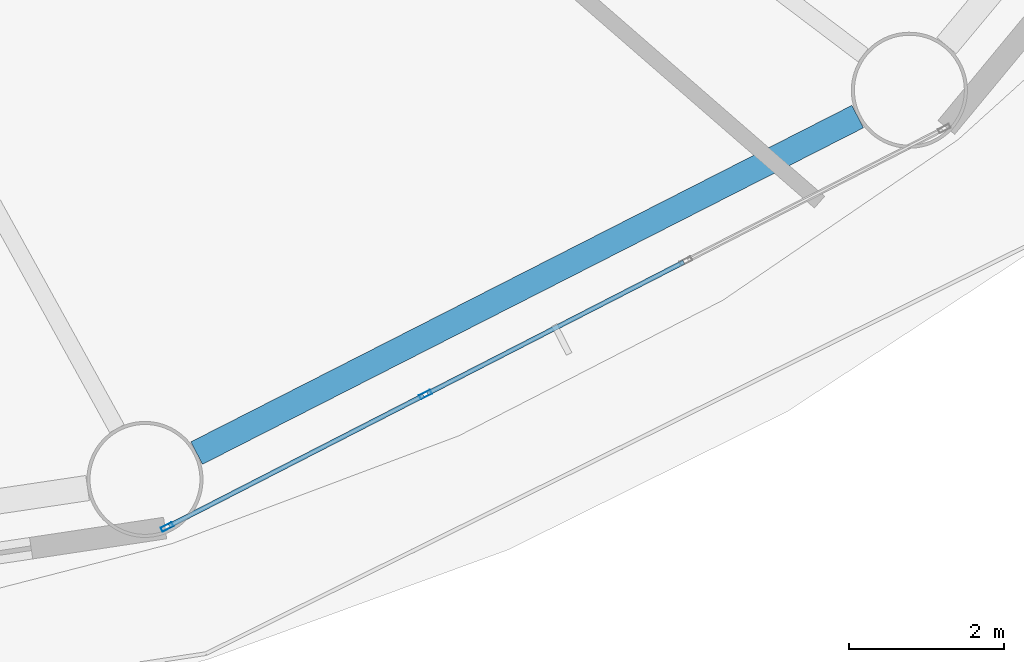
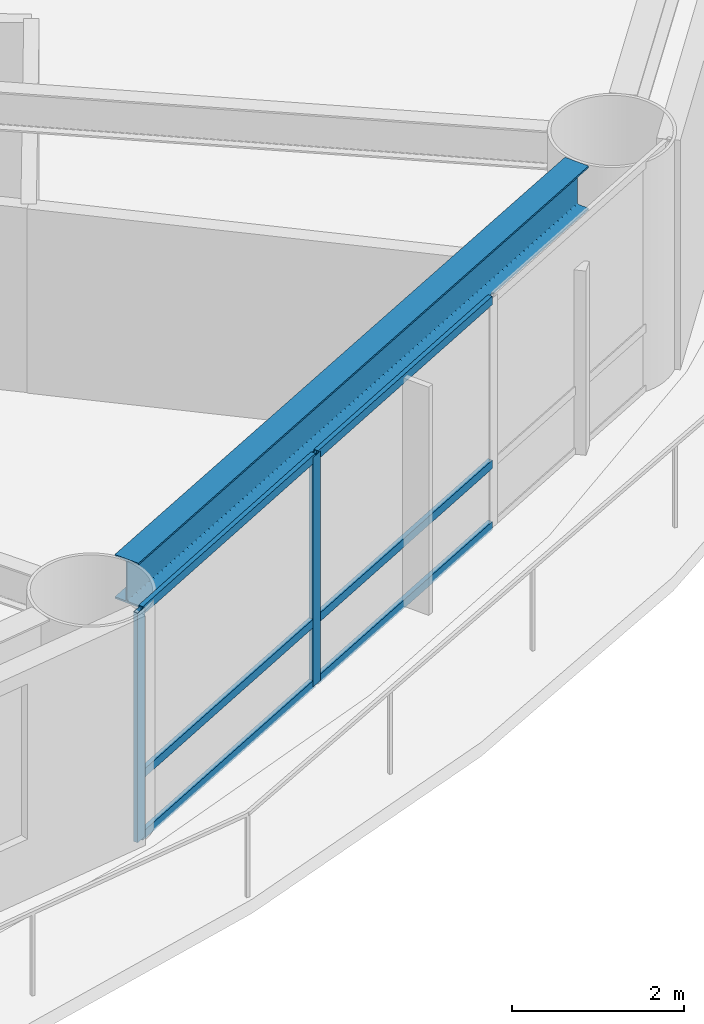
# One storey, part 5 of 27: 8 members, 1 beam, 1 element without a shape of its own.
"""IFC4 building model written with IfcOpenShell, lengths in metres."""

from ifc_helpers import new_model, si_unit, direction, frame, origin, origin_2d, place, context, subcontext, project, spatial, hollow_rectangle, i_section, extrude, material, layer, layer_set, material_profile, profile_set, type_object, element, aggregate, save


model = new_model("IFC4")

# Units and contexts
model_context = context("Model", 3, precision=1e-05, world=origin(), true_north=direction((0.0, 1.0)))
body_context = subcontext(model_context, "Body", "Model", "MODEL_VIEW")
ifc_project = project(units=[si_unit("LENGTHUNIT", "METRE"), si_unit("AREAUNIT", "SQUARE_METRE"), si_unit("VOLUMEUNIT", "CUBIC_METRE"), si_unit("PLANEANGLEUNIT", "RADIAN"), si_unit("MASSUNIT", "GRAM", prefix="KILO")], contexts=[model_context])

# Site, building, storey
site_placement = place(None, origin())
site = spatial("IfcSite", under=ifc_project, at=site_placement, CompositionType="ELEMENT")
building_placement = place(site_placement, origin())
building = spatial("IfcBuilding", under=site, at=building_placement, Name="Sarneth Arch Tower", CompositionType="ELEMENT")
storey_placement = place(building_placement, frame((0.0, 0.0, 75.0)))
storey = spatial("IfcBuildingStorey", under=building, at=storey_placement, Name="L18", CompositionType="ELEMENT", Elevation=75.0)

# Beam
ifc_material_1 = material(Name="Steel S355", Category="steel")
ifc_material_profile_1 = material_profile(ifc_material_1, i_section(OverallWidth=0.326904296875, OverallDepth=0.6220703125, WebThickness=0.015380859375, FlangeThickness=0.0244140625, FilletRadius=0.01904296875, at=origin_2d()), Name="W610x195")
ifc_profile_set_1 = profile_set([ifc_material_profile_1], Name="Steel S355")
beam_type = type_object("IfcBeamType", Name="BM-SPAN-610A", PredefinedType="SPANDREL", material=ifc_profile_set_1)
beam_placement = place(storey_placement, frame((60.486083984375, 20.90625, 2.93896484375), z_axis=(0.891169106887, 0.453671271882, 0.0), x_axis=(-0.453671271882, 0.891169106887, 0.0)))
element("IfcBeam", 1, at=beam_placement, inside=storey, type_object=beam_type, Name="L18 Perimeter spandrel beam 14", PredefinedType="SPANDREL", context=body_context, shape_type="SweptSolid", body=[
    extrude(i_section(OverallWidth=0.326904296875, OverallDepth=0.6220703125, WebThickness=0.015380859375, FlangeThickness=0.0244140625, FilletRadius=0.01904296875, at=origin_2d()), origin(), (0.0, 0.0, 1.0), 9.58544921875),
])

# Curtain wall, members
ifc_material_2 = material(Name="Anodised aluminium Type AA25 and solar-control low-e laminated IGU", Category="aluminium")
ifc_layer = layer(ifc_material_2, 0.159912109375)
ifc_layer_set = layer_set([ifc_layer], Name="Anodised aluminium Type AA25 and solar-control low-e laminated IGU")
curtain_wall_type = type_object("IfcCurtainWallType", Name="CW-HOTEL-LOW", PredefinedType="NOTDEFINED", material=ifc_layer_set)
curtain_wall_placement = place(storey_placement, origin())
curtain_wall = element("IfcCurtainWall", 2, at=curtain_wall_placement, inside=storey, type_object=curtain_wall_type, Name="L18 Unitised curtain wall facet 14", PredefinedType="NOTDEFINED")
ifc_material_3 = material(Name="Anodised Aluminium 6063-T6", Category="aluminium")
ifc_material_profile_2 = material_profile(ifc_material_3, hollow_rectangle(XDim=0.06005859375, YDim=0.159912109375, WallThickness=0.00390625, at=origin_2d()), Name="AL-MULL-160x60x4")
ifc_profile_set_2 = profile_set([ifc_material_profile_2], Name="Anodised Aluminium 6063-T6")
member_type_1 = type_object("IfcMemberType", Name="CW-MULLION", PredefinedType="MULLION", material=ifc_profile_set_2)
member_1_placement = place(storey_placement, frame((60.1044921875, 19.951416015625, 0.0), z_axis=(0.0, 0.0, 1.0), x_axis=(-0.456245197127, 0.889854100456, 0.0)))
member_1 = element("IfcMember", 3, at=member_1_placement, type_object=member_type_1, Name="CW-SYS-3 mullion 1", PredefinedType="MULLION", context=body_context, shape_type="SweptSolid", body=[
    extrude(hollow_rectangle(XDim=0.06005859375, YDim=0.159912109375, WallThickness=0.00390625, at=origin_2d()), origin(), (0.0, 0.0, 1.0), 3.25),
])
member_2_placement = place(storey_placement, frame((63.443359375, 21.663330078125, 0.0), z_axis=(0.0, 0.0, 1.0), x_axis=(-0.456245197127, 0.889854100456, 0.0)))
member_2 = element("IfcMember", 4, at=member_2_placement, type_object=member_type_1, Name="CW-SYS-3 mullion 2", PredefinedType="MULLION", context=body_context, shape_type="SweptSolid", body=[
    extrude(hollow_rectangle(XDim=0.06005859375, YDim=0.159912109375, WallThickness=0.00390625, at=origin_2d()), origin(), (0.0, 0.0, 1.0), 3.25),
])
ifc_material_4 = material(Name="Anodised Aluminium 6063-T6", Category="aluminium")
ifc_material_profile_3 = material_profile(ifc_material_4, hollow_rectangle(XDim=0.06005859375, YDim=0.1201171875, WallThickness=0.00390625, at=origin_2d()), Name="AL-TRAN-120x60x4")
ifc_profile_set_3 = profile_set([ifc_material_profile_3], Name="Anodised Aluminium 6063-T6")
member_type_2 = type_object("IfcMemberType", Name="CW-TRANSOM", PredefinedType="USERDEFINED", material=ifc_profile_set_3)
member_3_placement = place(storey_placement, frame((60.13134765625, 19.965087890625, 0.030029296875), z_axis=(0.889831232102, 0.456289796485, 0.0), x_axis=(-0.456289796485, 0.889831232102, 0.0)))
member_3 = element("IfcMember", 5, at=member_3_placement, type_object=member_type_2, Name="CW-SYS-3 transom 1.1", ObjectType="TRANSOM", PredefinedType="USERDEFINED", context=body_context, shape_type="SweptSolid", body=[
    extrude(hollow_rectangle(XDim=0.06005859375, YDim=0.1201171875, WallThickness=0.00390625, at=origin_2d()), origin(), (0.0, 0.0, 1.0), 3.69189453125),
])
member_4_placement = place(storey_placement, frame((60.13134765625, 19.965087890625, 0.89990234375), z_axis=(0.889831232102, 0.456289796485, 0.0), x_axis=(-0.456289796485, 0.889831232102, 0.0)))
member_4 = element("IfcMember", 6, at=member_4_placement, type_object=member_type_2, Name="CW-SYS-3 transom 1.2", ObjectType="TRANSOM", PredefinedType="USERDEFINED", context=body_context, shape_type="SweptSolid", body=[
    extrude(hollow_rectangle(XDim=0.06005859375, YDim=0.1201171875, WallThickness=0.00390625, at=origin_2d()), origin(), (0.0, 0.0, 1.0), 3.69189453125),
])
member_5_placement = place(storey_placement, frame((60.13134765625, 19.965087890625, 3.219970703125), z_axis=(0.889831232102, 0.456289796485, 0.0), x_axis=(-0.456289796485, 0.889831232102, 0.0)))
member_5 = element("IfcMember", 7, at=member_5_placement, type_object=member_type_2, Name="CW-SYS-3 transom 1.3", ObjectType="TRANSOM", PredefinedType="USERDEFINED", context=body_context, shape_type="SweptSolid", body=[
    extrude(hollow_rectangle(XDim=0.06005859375, YDim=0.1201171875, WallThickness=0.00390625, at=origin_2d()), origin(), (0.0, 0.0, 1.0), 3.69189453125),
])
member_6_placement = place(storey_placement, frame((63.469970703125, 21.677001953125, 0.030029296875), z_axis=(0.889868677022, 0.456216766083, 0.0), x_axis=(-0.456216766083, 0.889868677022, 0.0)))
member_6 = element("IfcMember", 8, at=member_6_placement, type_object=member_type_2, Name="CW-SYS-3 transom 2.1", ObjectType="TRANSOM", PredefinedType="USERDEFINED", context=body_context, shape_type="SweptSolid", body=[
    extrude(hollow_rectangle(XDim=0.06005859375, YDim=0.1201171875, WallThickness=0.00390625, at=origin_2d()), origin(), (0.0, 0.0, 1.0), 3.721923828125),
])
member_7_placement = place(storey_placement, frame((63.469970703125, 21.677001953125, 0.89990234375), z_axis=(0.889868677022, 0.456216766083, 0.0), x_axis=(-0.456216766083, 0.889868677022, 0.0)))
member_7 = element("IfcMember", 9, at=member_7_placement, type_object=member_type_2, Name="CW-SYS-3 transom 2.2", ObjectType="TRANSOM", PredefinedType="USERDEFINED", context=body_context, shape_type="SweptSolid", body=[
    extrude(hollow_rectangle(XDim=0.06005859375, YDim=0.1201171875, WallThickness=0.00390625, at=origin_2d()), origin(), (0.0, 0.0, 1.0), 3.721923828125),
])
member_8_placement = place(storey_placement, frame((63.469970703125, 21.677001953125, 3.219970703125), z_axis=(0.889868677022, 0.456216766083, 0.0), x_axis=(-0.456216766083, 0.889868677022, 0.0)))
member_8 = element("IfcMember", 10, at=member_8_placement, type_object=member_type_2, Name="CW-SYS-3 transom 2.3", ObjectType="TRANSOM", PredefinedType="USERDEFINED", context=body_context, shape_type="SweptSolid", body=[
    extrude(hollow_rectangle(XDim=0.06005859375, YDim=0.1201171875, WallThickness=0.00390625, at=origin_2d()), origin(), (0.0, 0.0, 1.0), 3.721923828125),
])
aggregate(curtain_wall, [member_1, member_2, member_3, member_4, member_5, member_6, member_7, member_8])

save(model, "model.ifc")
